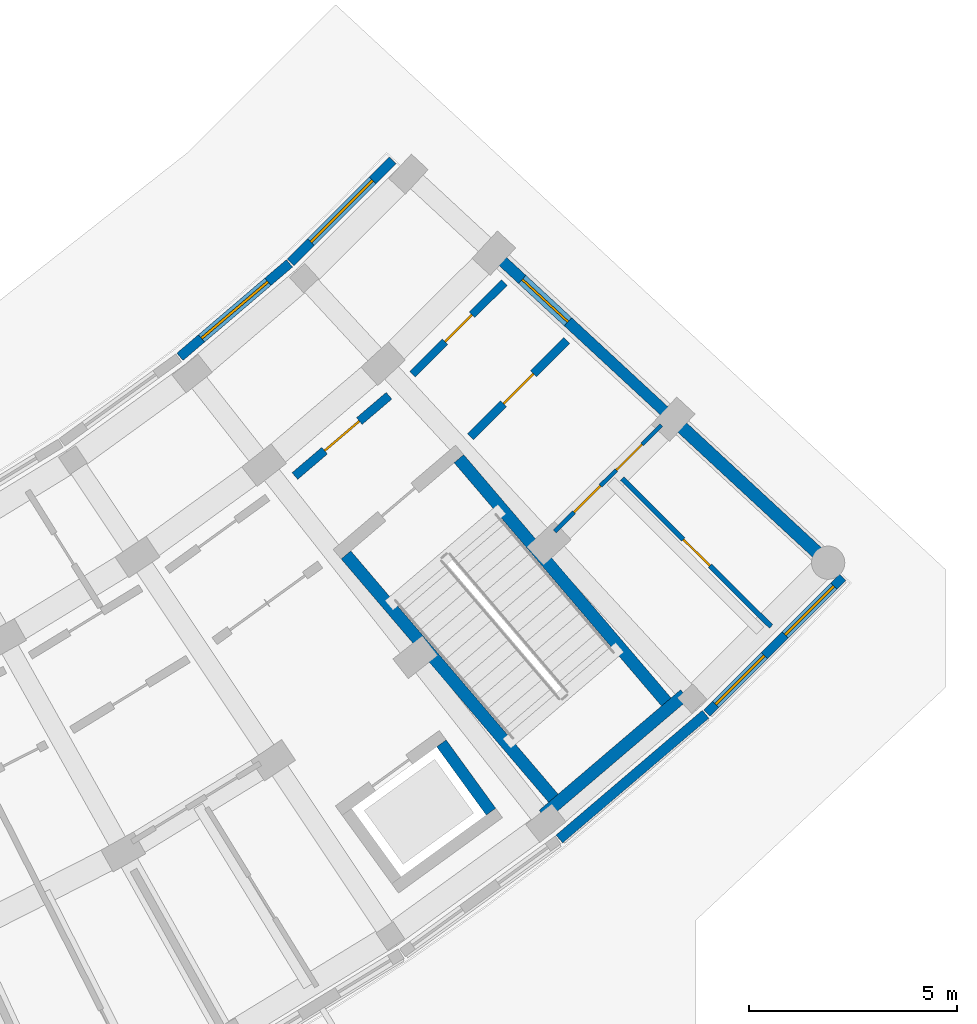
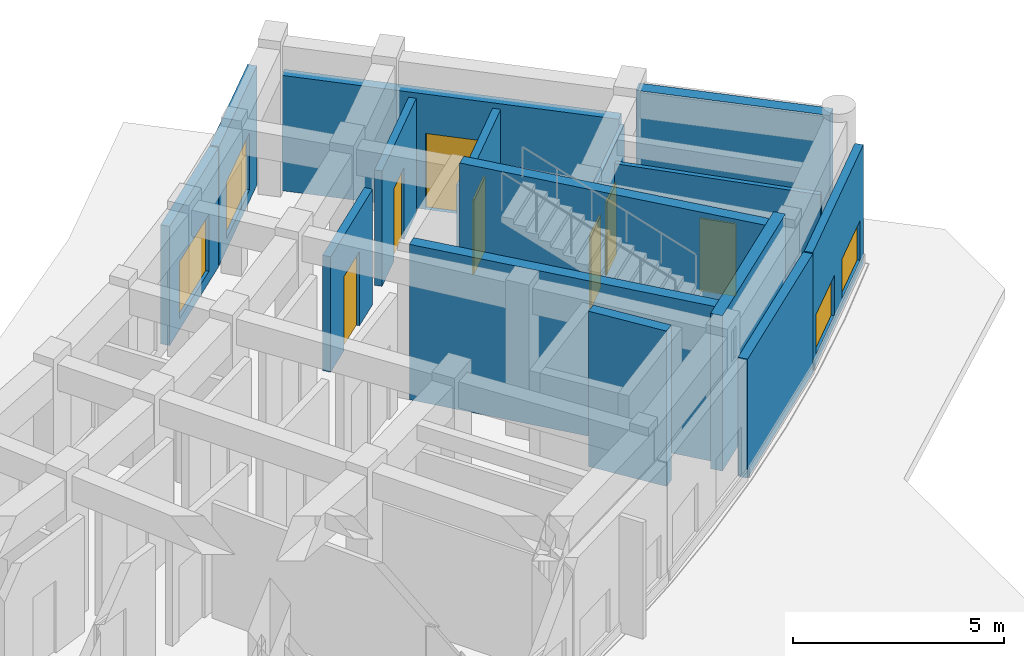
# One storey, part 45 of 61: 15 walls, 7 doors, 4 windows, 11 openings.
"""IFC4 building model written with IfcOpenShell, lengths in metres."""

from ifc_helpers import new_model, si_unit, direction, frame, frame_2d, origin, place, context, subcontext, project, spatial, rectangle, extrude, material, layer, layer_set, type_object, element, fill, save


model = new_model("IFC4")

# Units and contexts
model_context = context("Model", 3, precision=1e-05, world=origin(), true_north=direction((0.0, 1.0)))
body_context = subcontext(model_context, "Body", "Model", "MODEL_VIEW")
ifc_project = project(units=[si_unit("LENGTHUNIT", "METRE"), si_unit("AREAUNIT", "SQUARE_METRE"), si_unit("VOLUMEUNIT", "CUBIC_METRE"), si_unit("PLANEANGLEUNIT", "RADIAN"), si_unit("MASSUNIT", "GRAM", prefix="KILO")], contexts=[model_context])

# Site, building, storey
site_placement = place(None, origin())
site = spatial("IfcSite", under=ifc_project, at=site_placement, CompositionType="ELEMENT")
building_placement = place(site_placement, origin())
building = spatial("IfcBuilding", under=site, at=building_placement, Name="Zimvara Arc Housing Community", CompositionType="ELEMENT")
storey_placement = place(building_placement, origin())
storey = spatial("IfcBuildingStorey", under=building, at=storey_placement, Name="L00", CompositionType="ELEMENT", Elevation=0.0)

# Wall, opening, window
ifc_material_1 = material(Name="Board-Marked Fair-Faced Concrete C35/45", Category="concrete")
ifc_layer_1 = layer(ifc_material_1, 0.22998046875)
ifc_layer_set_1 = layer_set([ifc_layer_1], Name="Board-Marked Fair-Faced Concrete C35/45")
wall_type_1 = type_object("IfcWallType", Name="EWL-CONC-230", PredefinedType="SOLIDWALL", material=ifc_layer_set_1)
wall_1_placement = place(storey_placement, frame((153.588623046875, 74.80810546875, 0.0), z_axis=(0.0, 0.0, 1.0), x_axis=(0.760985425115, 0.648768974876, 0.0)))
wall_1 = element("IfcWall", 1, at=wall_1_placement, inside=storey, type_object=wall_type_1, Name="ewall:blkD:L00:in:b8", PredefinedType="SOLIDWALL", context=body_context, shape_type="SweptSolid", body=[
    extrude(rectangle(XDim=3.463623046875, YDim=0.22998046875, at=frame_2d((1.73193359375, 0.0))), origin(), (0.0, 0.0, 1.0), 3.449951171875),
])
opening_1_placement = place(wall_1_placement, frame((0.681884765625, 0.0, 0.320068359375)))
opening_1 = element("IfcOpeningElement", 2, at=opening_1_placement, cuts=wall_1, Name="Opening W09", PredefinedType="OPENING", context=body_context, shape_type="SweptSolid", body=[
    extrude(rectangle(XDim=2.10009765625, YDim=1.64990234375, at=frame_2d((1.050048828125, 0.824951171875))), frame((0.0, 0.125, 0.0), z_axis=(0.0, -1.0, 0.0), x_axis=(1.0, 0.0, 0.0)), (0.0, 0.0, 1.0), 0.25),
])
ifc_material_2 = material(Name="Solar Control Low-E Double Glazing", Category="glass")
window_type_1 = type_object("IfcWindowType", Name="WIN-RES-2100x1650", PartitioningType="TRIPLE_PANEL_VERTICAL", PredefinedType="WINDOW", material=ifc_material_2)
window_1_placement = place(opening_1_placement, origin())
window_1 = element("IfcWindow", 3, at=window_1_placement, inside=storey, type_object=window_type_1, Name="win:blkD:L00:in:b8", OverallHeight=1.64990234375, OverallWidth=2.10009765625, PartitioningType="TRIPLE_PANEL_VERTICAL", PredefinedType="WINDOW", context=body_context, shape_type="SweptSolid", body=[
    extrude(rectangle(XDim=2.10009765625, YDim=1.64990234375, at=frame_2d((1.050048828125, 0.824951171875))), frame((0.0, 0.030029296875, 0.0), z_axis=(0.0, -1.0, 0.0), x_axis=(1.0, 0.0, 0.0)), (0.0, 0.0, 1.0), 0.06005859375),
])
fill(opening_1, window_1)

wall_2_placement = place(storey_placement, frame((156.253662109375, 77.082275390625, 0.0), z_axis=(0.0, 0.0, 1.0), x_axis=(0.707705680562, 0.70650737413, 0.0)))
wall_2 = element("IfcWall", 4, at=wall_2_placement, inside=storey, type_object=wall_type_1, Name="ewall:blkD:L00:in:b9", PredefinedType="SOLIDWALL", context=body_context, shape_type="SweptSolid", body=[
    extrude(rectangle(XDim=3.463623046875, YDim=0.22998046875, at=frame_2d((1.73193359375, 0.0))), origin(), (0.0, 0.0, 1.0), 3.449951171875),
])
opening_2_placement = place(wall_2_placement, frame((0.681884765625, 0.0, 0.320068359375)))
opening_2 = element("IfcOpeningElement", 5, at=opening_2_placement, cuts=wall_2, Name="Opening W09", PredefinedType="OPENING", context=body_context, shape_type="SweptSolid", body=[
    extrude(rectangle(XDim=2.10009765625, YDim=1.64990234375, at=frame_2d((1.050048828125, 0.824951171875))), frame((0.0, 0.125, 0.0), z_axis=(0.0, -1.0, 0.0), x_axis=(1.0, 0.0, 0.0)), (0.0, 0.0, 1.0), 0.25),
])
window_2_placement = place(opening_2_placement, origin())
window_2 = element("IfcWindow", 6, at=window_2_placement, inside=storey, type_object=window_type_1, Name="win:blkD:L00:in:b9", OverallHeight=1.64990234375, OverallWidth=2.10009765625, PartitioningType="TRIPLE_PANEL_VERTICAL", PredefinedType="WINDOW", context=body_context, shape_type="SweptSolid", body=[
    extrude(rectangle(XDim=2.10009765625, YDim=1.64990234375, at=frame_2d((1.050048828125, 0.824951171875))), frame((0.0, 0.030029296875, 0.0), z_axis=(0.0, -1.0, 0.0), x_axis=(1.0, 0.0, 0.0)), (0.0, 0.0, 1.0), 0.06005859375),
])
fill(opening_2, window_2)

# Wall, opening, door
ifc_material_3 = material(Name="Board-Marked Fair-Faced Concrete C35/45", Category="concrete")
ifc_layer_2 = layer(ifc_material_3, 0.264892578125)
ifc_layer_set_2 = layer_set([ifc_layer_2], Name="Board-Marked Fair-Faced Concrete C35/45")
wall_type_2 = type_object("IfcWallType", Name="EWL-CONC-265", PredefinedType="SOLIDWALL", material=ifc_layer_set_2)
wall_3_placement = place(storey_placement, frame((159.261962890625, 79.04052734375, 0.0), z_axis=(0.0, 0.0, 1.0), x_axis=(0.733738684326, -0.679431779595, 0.0)))
wall_3 = element("IfcWall", 7, at=wall_3_placement, inside=storey, type_object=wall_type_2, Name="ewall:blkD:L00:gN", PredefinedType="SOLIDWALL", context=body_context, shape_type="SweptSolid", body=[
    extrude(rectangle(XDim=8.199951171875, YDim=0.264892578125, at=frame_2d((4.10009765625, 0.0))), origin(), (0.0, 0.0, 1.0), 3.340087890625),
])
opening_3_placement = place(wall_3_placement, frame((3.489990234375, 0.0, 0.0)))
opening_3 = element("IfcOpeningElement", 8, at=opening_3_placement, cuts=wall_3, Name="Opening ED01", PredefinedType="OPENING", context=body_context, shape_type="SweptSolid", body=[
    extrude(rectangle(XDim=1.5, YDim=2.199951171875, at=frame_2d((0.75, 1.10009765625))), frame((0.0, 0.142333984375, 0.0), z_axis=(0.0, -1.0, 0.0), x_axis=(1.0, 0.0, 0.0)), (0.0, 0.0, 1.0), 0.284912109375),
])
ifc_material_4 = material(Name="Anodised Aluminium AW-6063", Category="aluminium")
door_type_1 = type_object("IfcDoorType", Name="EDR-EXIT-1500x2200", OperationType="DOUBLE_DOOR_SINGLE_SWING", PredefinedType="DOOR", material=ifc_material_4)
door_1_placement = place(opening_3_placement, origin())
door_1 = element("IfcDoor", 9, at=door_1_placement, inside=storey, type_object=door_type_1, Name="edoor:blkD:L00:corr_exit:gN", OperationType="DOUBLE_DOOR_SINGLE_SWING", OverallHeight=2.199951171875, OverallWidth=1.5, PredefinedType="DOOR", context=body_context, shape_type="SweptSolid", body=[
    extrude(rectangle(XDim=1.5, YDim=2.199951171875, at=frame_2d((0.75, 1.10009765625))), frame((0.0, 0.02490234375, 0.0), z_axis=(0.0, -1.0, 0.0), x_axis=(1.0, 0.0, 0.0)), (0.0, 0.0, 1.0), 0.050048828125),
])
fill(opening_3, door_1)

# Wall
ifc_material_5 = material(Name="Pigmented Fair-Faced Concrete C35/45", Category="concrete")
ifc_layer_3 = layer(ifc_material_5, 0.2451171875)
ifc_layer_set_3 = layer_set([ifc_layer_3], Name="Pigmented Fair-Faced Concrete C35/45")
wall_type_3 = type_object("IfcWallType", Name="EWL-PIGM-245", PredefinedType="SOLIDWALL", material=ifc_layer_set_3)
wall_4_placement = place(storey_placement, frame((162.71630859375, 63.208740234375, 0.0), z_axis=(0.0, 0.0, 1.0), x_axis=(0.760968923704, 0.64878833001, 0.0)))
element("IfcWall", 10, at=wall_4_placement, inside=storey, type_object=wall_type_3, Name="ewall:blkD:L00:out:b8", PredefinedType="SOLIDWALL", context=body_context, shape_type="SweptSolid", body=[
    extrude(rectangle(XDim=4.62255859375, YDim=0.2451171875, at=frame_2d((2.311279296875, 0.0))), origin(), (0.0, 0.0, 1.0), 3.449951171875),
])

# Wall, openings, windows
ifc_material_6 = material(Name="Board-Marked Fair-Faced Concrete C35/45", Category="concrete")
ifc_layer_4 = layer(ifc_material_6, 0.2119140625)
ifc_layer_set_4 = layer_set([ifc_layer_4], Name="Board-Marked Fair-Faced Concrete C35/45")
wall_type_4 = type_object("IfcWallType", Name="EWL-VAR-11", PredefinedType="SOLIDWALL", material=ifc_layer_set_4)
wall_5_placement = place(storey_placement, frame((166.26318359375, 66.23486328125, 0.0), z_axis=(0.0, 0.0, 1.0), x_axis=(0.707713886734, 0.706499153944, 0.0)))
wall_5 = element("IfcWall", 11, at=wall_5_placement, inside=storey, type_object=wall_type_4, Name="ewall:blkD:L00:out:b9", PredefinedType="SOLIDWALL", context=body_context, shape_type="SweptSolid", body=[
    extrude(rectangle(XDim=4.62255859375, YDim=0.2119140625, at=frame_2d((2.311279296875, 0.0))), origin(), (0.0, 0.0, 1.0), 3.449951171875),
])
opening_4_placement = place(wall_5_placement, frame((0.300048828125, 0.0, 0.300048828125)))
opening_4 = element("IfcOpeningElement", 12, at=opening_4_placement, cuts=wall_5, Name="Opening W49", PredefinedType="OPENING", context=body_context, shape_type="SweptSolid", body=[
    extrude(rectangle(XDim=1.659912109375, YDim=1.159912109375, at=frame_2d((0.830078125, 0.580078125))), frame((0.0, 0.115966796875, 0.0), z_axis=(0.0, -1.0, 0.0), x_axis=(1.0, 0.0, 0.0)), (0.0, 0.0, 1.0), 0.23193359375),
])
opening_5_placement = place(wall_5_placement, frame((2.66259765625, 0.0, 0.300048828125)))
opening_5 = element("IfcOpeningElement", 13, at=opening_5_placement, cuts=wall_5, Name="Opening W49", PredefinedType="OPENING", context=body_context, shape_type="SweptSolid", body=[
    extrude(rectangle(XDim=1.659912109375, YDim=1.159912109375, at=frame_2d((0.830078125, 0.580078125))), frame((0.0, 0.115966796875, 0.0), z_axis=(0.0, -1.0, 0.0), x_axis=(1.0, 0.0, 0.0)), (0.0, 0.0, 1.0), 0.23193359375),
])
ifc_material_7 = material(Name="Solar Control Low-E Double Glazing", Category="glass")
window_type_2 = type_object("IfcWindowType", Name="WIN-MOD-1660x1160", PartitioningType="DOUBLE_PANEL_VERTICAL", PredefinedType="WINDOW", material=ifc_material_7)
window_3_placement = place(opening_4_placement, origin())
window_3 = element("IfcWindow", 14, at=window_3_placement, inside=storey, type_object=window_type_2, Name="win:blkD:L00:out:b9:1", OverallHeight=1.159912109375, OverallWidth=1.659912109375, PartitioningType="DOUBLE_PANEL_VERTICAL", PredefinedType="WINDOW", context=body_context, shape_type="SweptSolid", body=[
    extrude(rectangle(XDim=1.659912109375, YDim=1.159912109375, at=frame_2d((0.830078125, 0.580078125))), frame((0.0, 0.030029296875, 0.0), z_axis=(0.0, -1.0, 0.0), x_axis=(1.0, 0.0, 0.0)), (0.0, 0.0, 1.0), 0.06005859375),
])
fill(opening_4, window_3)
window_4_placement = place(opening_5_placement, origin())
window_4 = element("IfcWindow", 15, at=window_4_placement, inside=storey, type_object=window_type_2, Name="win:blkD:L00:out:b9:2", OverallHeight=1.159912109375, OverallWidth=1.659912109375, PartitioningType="DOUBLE_PANEL_VERTICAL", PredefinedType="WINDOW", context=body_context, shape_type="SweptSolid", body=[
    extrude(rectangle(XDim=1.659912109375, YDim=1.159912109375, at=frame_2d((0.830078125, 0.580078125))), frame((0.0, 0.030029296875, 0.0), z_axis=(0.0, -1.0, 0.0), x_axis=(1.0, 0.0, 0.0)), (0.0, 0.0, 1.0), 0.06005859375),
])
fill(opening_5, window_4)

# Wall, opening, door
ifc_material_8 = material(Name="Concrete C35/45", Category="concrete")
ifc_layer_5 = layer(ifc_material_8, 0.2099609375)
ifc_layer_set_5 = layer_set([ifc_layer_5], Name="Concrete C35/45")
wall_type_5 = type_object("IfcWallType", Name="IWL-CCF-210", PredefinedType="SOLIDWALL", material=ifc_layer_set_5)
wall_6_placement = place(storey_placement, frame((156.354248046875, 71.93994140625, 0.0), z_axis=(0.0, 0.0, 1.0), x_axis=(0.760991187621, 0.648762215579, 0.0)))
wall_6 = element("IfcWall", 16, at=wall_6_placement, inside=storey, type_object=wall_type_5, Name="iwall:blkD:L00:ccf_div:b8", PredefinedType="SOLIDWALL", context=body_context, shape_type="SweptSolid", body=[
    extrude(rectangle(XDim=2.975830078125, YDim=0.2099609375, at=frame_2d((1.48779296875, 0.0))), origin(), (0.0, 0.0, 1.0), 3.340087890625),
])
opening_6_placement = place(wall_6_placement, frame((0.93798828125, 0.0, 0.0)))
opening_6 = element("IfcOpeningElement", 17, at=opening_6_placement, cuts=wall_6, Name="Opening FD-CCF1", PredefinedType="OPENING", context=body_context, shape_type="SweptSolid", body=[
    extrude(rectangle(XDim=1.10009765625, YDim=2.14990234375, at=frame_2d((0.550048828125, 1.074951171875))), frame((0.0, 0.114990234375, 0.0), z_axis=(0.0, -1.0, 0.0), x_axis=(1.0, 0.0, 0.0)), (0.0, 0.0, 1.0), 0.22998046875),
])
ifc_material_9 = material(Name="Anodised Aluminium AW-6063", Category="aluminium")
door_type_2 = type_object("IfcDoorType", Name="IDR-CCF-1100x2150", OperationType="NOTDEFINED", PredefinedType="DOOR", material=ifc_material_9)
door_2_placement = place(opening_6_placement, origin())
door_2 = element("IfcDoor", 18, at=door_2_placement, inside=storey, type_object=door_type_2, Name="idoor:blkD:L00:ccf_in:b8", OperationType="SINGLE_SWING_RIGHT", OverallHeight=2.14990234375, OverallWidth=1.10009765625, PredefinedType="DOOR", context=body_context, shape_type="SweptSolid", body=[
    extrude(rectangle(XDim=1.10009765625, YDim=2.14990234375, at=frame_2d((0.550048828125, 1.074951171875))), frame((0.0, 0.02490234375, 0.0), z_axis=(0.0, -1.0, 0.0), x_axis=(1.0, 0.0, 0.0)), (0.0, 0.0, 1.0), 0.050048828125),
])
fill(opening_6, door_2)

ifc_material_10 = material(Name="Concrete C35/45", Category="concrete")
ifc_layer_6 = layer(ifc_material_10, 0.18994140625)
ifc_layer_set_6 = layer_set([ifc_layer_6], Name="Concrete C35/45")
wall_type_6 = type_object("IfcWallType", Name="IWL-CORR-190", PredefinedType="SOLIDWALL", material=ifc_layer_set_6)
wall_7_placement = place(storey_placement, frame((159.186279296875, 74.390380859375, 0.0), z_axis=(0.0, 0.0, 1.0), x_axis=(0.70773330139, 0.706479705373, 0.0)))
wall_7 = element("IfcWall", 19, at=wall_7_placement, inside=storey, type_object=wall_type_6, Name="iwall:blkD:L00:corr_in:b9", PredefinedType="SOLIDWALL", context=body_context, shape_type="SweptSolid", body=[
    extrude(rectangle(XDim=3.115966796875, YDim=0.18994140625, at=frame_2d((1.55810546875, 0.0))), origin(), (0.0, 0.0, 1.0), 3.340087890625),
])
opening_7_placement = place(wall_7_placement, frame((1.097900390625, 0.0, 0.0)))
opening_7 = element("IfcOpeningElement", 20, at=opening_7_placement, cuts=wall_7, Name="Opening D02", PredefinedType="OPENING", context=body_context, shape_type="SweptSolid", body=[
    extrude(rectangle(XDim=0.919921875, YDim=2.10009765625, at=frame_2d((0.4599609375, 1.050048828125))), frame((0.0, 0.10498046875, 0.0), z_axis=(0.0, -1.0, 0.0), x_axis=(1.0, 0.0, 0.0)), (0.0, 0.0, 1.0), 0.2099609375),
])
ifc_material_11 = material(Name="Mozambican Hardwood", Category="wood")
door_type_3 = type_object("IfcDoorType", Name="IDR-RM-0920x2100", OperationType="NOTDEFINED", PredefinedType="DOOR", material=ifc_material_11)
door_3_placement = place(opening_7_placement, origin())
door_3 = element("IfcDoor", 21, at=door_3_placement, inside=storey, type_object=door_type_3, Name="idoor:blkD:L00:in_rm:b9", OperationType="SINGLE_SWING_RIGHT", OverallHeight=2.10009765625, OverallWidth=0.919921875, PredefinedType="DOOR", context=body_context, shape_type="SweptSolid", body=[
    extrude(rectangle(XDim=0.919921875, YDim=2.10009765625, at=frame_2d((0.4599609375, 1.050048828125))), frame((0.0, 0.02490234375, 0.0), z_axis=(0.0, -1.0, 0.0), x_axis=(1.0, 0.0, 0.0)), (0.0, 0.0, 1.0), 0.050048828125),
])
fill(opening_7, door_3)

ifc_material_12 = material(Name="Concrete C35/45", Category="concrete")
ifc_layer_7 = layer(ifc_material_12, 0.199951171875)
ifc_layer_set_7 = layer_set([ifc_layer_7], Name="Concrete C35/45")
wall_type_7 = type_object("IfcWallType", Name="IWL-CORR-200", PredefinedType="SOLIDWALL", material=ifc_layer_set_7)
wall_8_placement = place(storey_placement, frame((160.576416015625, 72.8837890625, 0.0), z_axis=(0.0, 0.0, 1.0), x_axis=(0.70773973846, 0.706473256822, 0.0)))
wall_8 = element("IfcWall", 22, at=wall_8_placement, inside=storey, type_object=wall_type_7, Name="iwall:blkD:L00:corr_out:b9", PredefinedType="SOLIDWALL", context=body_context, shape_type="SweptSolid", body=[
    extrude(rectangle(XDim=3.277099609375, YDim=0.199951171875, at=frame_2d((1.638671875, 0.0))), origin(), (0.0, 0.0, 1.0), 3.340087890625),
])
opening_8_placement = place(wall_8_placement, frame((1.12841796875, 0.0, 0.0)))
opening_8 = element("IfcOpeningElement", 23, at=opening_8_placement, cuts=wall_8, Name="Opening FD-FL2", PredefinedType="OPENING", context=body_context, shape_type="SweptSolid", body=[
    extrude(rectangle(XDim=1.02001953125, YDim=2.14990234375, at=frame_2d((0.510009765625, 1.074951171875))), frame((0.0, 0.10986328125, 0.0), z_axis=(0.0, -1.0, 0.0), x_axis=(1.0, 0.0, 0.0)), (0.0, 0.0, 1.0), 0.219970703125),
])
ifc_material_13 = material(Name="Mozambican Hardwood", Category="wood")
door_type_4 = type_object("IfcDoorType", Name="IDR-FLAT-1020x2150", OperationType="NOTDEFINED", PredefinedType="DOOR", material=ifc_material_13)
door_4_placement = place(opening_8_placement, origin())
door_4 = element("IfcDoor", 24, at=door_4_placement, inside=storey, type_object=door_type_4, Name="idoor:blkD:L00:flat:b9", OperationType="SINGLE_SWING_LEFT", OverallHeight=2.14990234375, OverallWidth=1.02001953125, PredefinedType="DOOR", context=body_context, shape_type="SweptSolid", body=[
    extrude(rectangle(XDim=1.02001953125, YDim=2.14990234375, at=frame_2d((0.510009765625, 1.074951171875))), frame((0.0, 0.02490234375, 0.0), z_axis=(0.0, -1.0, 0.0), x_axis=(1.0, 0.0, 0.0)), (0.0, 0.0, 1.0), 0.050048828125),
])
fill(opening_8, door_4)

# Wall, openings, doors
ifc_material_14 = material(Name="Painted Acoustic Plasterboard")
ifc_layer_8 = layer(ifc_material_14, 0.10009765625)
ifc_layer_set_8 = layer_set([ifc_layer_8], Name="Painted Acoustic Plasterboard")
wall_type_8 = type_object("IfcWallType", Name="IWL-PART-100", PredefinedType="PARTITIONING", material=ifc_layer_set_8)
wall_9_placement = place(storey_placement, frame((162.609375, 70.60693359375, 0.0), z_axis=(0.0, 0.0, 1.0), x_axis=(0.707714058013, 0.70649898237, 0.0)))
wall_9 = element("IfcWall", 25, at=wall_9_placement, inside=storey, type_object=wall_type_8, Name="iwall:blkD:L00:srv:b9", PredefinedType="PARTITIONING", context=body_context, shape_type="SweptSolid", body=[
    extrude(rectangle(XDim=3.61669921875, YDim=0.10009765625, at=frame_2d((1.808349609375, 0.0))), origin(), (0.0, 0.0, 1.0), 3.340087890625),
])
opening_9_placement = place(wall_9_placement, frame((0.64990234375, 0.0, 0.0)))
opening_9 = element("IfcOpeningElement", 26, at=opening_9_placement, cuts=wall_9, Name="Opening D01", PredefinedType="OPENING", context=body_context, shape_type="SweptSolid", body=[
    extrude(rectangle(XDim=0.89990234375, YDim=2.10009765625, at=frame_2d((0.449951171875, 1.050048828125))), frame((0.0, 0.06005859375, 0.0), z_axis=(0.0, -1.0, 0.0), x_axis=(1.0, 0.0, 0.0)), (0.0, 0.0, 1.0), 0.1201171875),
])
opening_10_placement = place(wall_9_placement, frame((2.08642578125, 0.0, 0.0)))
opening_10 = element("IfcOpeningElement", 27, at=opening_10_placement, cuts=wall_9, Name="Opening D05", PredefinedType="OPENING", context=body_context, shape_type="SweptSolid", body=[
    extrude(rectangle(XDim=0.8798828125, YDim=2.10009765625, at=frame_2d((0.43994140625, 1.050048828125))), frame((0.0, 0.06005859375, 0.0), z_axis=(0.0, -1.0, 0.0), x_axis=(1.0, 0.0, 0.0)), (0.0, 0.0, 1.0), 0.1201171875),
])
ifc_material_15 = material(Name="Mozambican Hardwood", Category="wood")
door_type_5 = type_object("IfcDoorType", Name="IDR-RM-0900x2100", OperationType="NOTDEFINED", PredefinedType="DOOR", material=ifc_material_15)
door_5_placement = place(opening_9_placement, origin())
door_5 = element("IfcDoor", 28, at=door_5_placement, inside=storey, type_object=door_type_5, Name="idoor:blkD:L00:kit_liv:b9", OperationType="SINGLE_SWING_LEFT", OverallHeight=2.10009765625, OverallWidth=0.89990234375, PredefinedType="DOOR", context=body_context, shape_type="SweptSolid", body=[
    extrude(rectangle(XDim=0.89990234375, YDim=2.10009765625, at=frame_2d((0.449951171875, 1.050048828125))), frame((0.0, 0.02490234375, 0.0), z_axis=(0.0, -1.0, 0.0), x_axis=(1.0, 0.0, 0.0)), (0.0, 0.0, 1.0), 0.050048828125),
])
fill(opening_9, door_5)
ifc_material_16 = material(Name="Mozambican Hardwood", Category="wood")
door_type_6 = type_object("IfcDoorType", Name="IDR-WC-0880x2100", OperationType="NOTDEFINED", PredefinedType="DOOR", material=ifc_material_16)
door_6_placement = place(opening_10_placement, origin())
door_6 = element("IfcDoor", 29, at=door_6_placement, inside=storey, type_object=door_type_6, Name="idoor:blkD:L00:bath_d:b9", OperationType="SINGLE_SWING_RIGHT", OverallHeight=2.10009765625, OverallWidth=0.8798828125, PredefinedType="DOOR", context=body_context, shape_type="SweptSolid", body=[
    extrude(rectangle(XDim=0.8798828125, YDim=2.10009765625, at=frame_2d((0.43994140625, 1.050048828125))), frame((0.0, 0.02490234375, 0.0), z_axis=(0.0, -1.0, 0.0), x_axis=(1.0, 0.0, 0.0)), (0.0, 0.0, 1.0), 0.050048828125),
])
fill(opening_10, door_6)

# Wall, opening, door
ifc_material_17 = material(Name="Painted Acoustic Plasterboard")
ifc_layer_9 = layer(ifc_material_17, 0.1201171875)
ifc_layer_set_9 = layer_set([ifc_layer_9], Name="Painted Acoustic Plasterboard")
wall_type_9 = type_object("IfcWallType", Name="IWL-PART-120", PredefinedType="PARTITIONING", material=ifc_layer_set_9)
wall_10_placement = place(storey_placement, frame((164.224853515625, 71.879150390625, 0.0), z_axis=(0.0, 0.0, 1.0), x_axis=(0.709543935341, -0.704661197897, 0.0)))
wall_10 = element("IfcWall", 30, at=wall_10_placement, inside=storey, type_object=wall_type_9, Name="iwall:blkD:L00:bed_div:b9", PredefinedType="PARTITIONING", context=body_context, shape_type="SweptSolid", body=[
    extrude(rectangle(XDim=5.050048828125, YDim=0.1201171875, at=frame_2d((2.52490234375, 0.0))), origin(), (0.0, 0.0, 1.0), 3.340087890625),
])
opening_11_placement = place(wall_10_placement, frame((2.074951171875, 0.0, 0.0)))
opening_11 = element("IfcOpeningElement", 31, at=opening_11_placement, cuts=wall_10, Name="Opening D01", PredefinedType="OPENING", context=body_context, shape_type="SweptSolid", body=[
    extrude(rectangle(XDim=0.89990234375, YDim=2.10009765625, at=frame_2d((0.449951171875, 1.050048828125))), frame((0.0, 0.070068359375, 0.0), z_axis=(0.0, -1.0, 0.0), x_axis=(1.0, 0.0, 0.0)), (0.0, 0.0, 1.0), 0.14013671875),
])
door_7_placement = place(opening_11_placement, origin())
door_7 = element("IfcDoor", 32, at=door_7_placement, inside=storey, type_object=door_type_5, Name="idoor:blkD:L00:bed_d:b9", OperationType="SINGLE_SWING_LEFT", OverallHeight=2.10009765625, OverallWidth=0.89990234375, PredefinedType="DOOR", context=body_context, shape_type="SweptSolid", body=[
    extrude(rectangle(XDim=0.89990234375, YDim=2.10009765625, at=frame_2d((0.449951171875, 1.050048828125))), frame((0.0, 0.02490234375, 0.0), z_axis=(0.0, -1.0, 0.0), x_axis=(1.0, 0.0, 0.0)), (0.0, 0.0, 1.0), 0.050048828125),
])
fill(opening_11, door_7)

# Walls
ifc_material_18 = material(Name="Concrete C40/50", Category="concrete")
ifc_layer_10 = layer(ifc_material_18, 0.280029296875)
ifc_layer_set_10 = layer_set([ifc_layer_10], Name="Concrete C40/50")
wall_type_10 = type_object("IfcWallType", Name="WL-CORE-280", PredefinedType="SHEAR", material=ifc_layer_set_10)
wall_11_placement = place(storey_placement, frame((159.87939453125, 65.509033203125, 0.0), z_axis=(0.0, 0.0, 1.0), x_axis=(0.58704837408, -0.809551855344, 0.0)))
element("IfcWall", 33, at=wall_11_placement, inside=storey, type_object=wall_type_10, Name="lwall:LP-D2:L00:right", PredefinedType="SHEAR", context=body_context, shape_type="SweptSolid", body=[
    extrude(rectangle(XDim=2.02978515625, YDim=0.280029296875, at=frame_2d((1.014892578125, 0.0))), origin(), (0.0, 0.0, 1.0), 4.5),
])
ifc_material_19 = material(Name="Concrete C40/50", Category="concrete")
ifc_layer_11 = layer(ifc_material_19, 0.300048828125)
ifc_layer_set_11 = layer_set([ifc_layer_11], Name="Concrete C40/50")
wall_type_11 = type_object("IfcWallType", Name="WL-CORE-300", PredefinedType="SHEAR", material=ifc_layer_set_11)
wall_12_placement = place(storey_placement, frame((162.3271484375, 63.78271484375, 0.0), z_axis=(0.0, 0.0, 1.0), x_axis=(0.760969560012, 0.648787583678, 0.0)))
element("IfcWall", 34, at=wall_12_placement, inside=storey, type_object=wall_type_11, Name="cwall:ST-D2:L00:far", PredefinedType="SHEAR", context=body_context, shape_type="SweptSolid", body=[
    extrude(rectangle(XDim=4.47021484375, YDim=0.300048828125, at=frame_2d((2.235107421875, 0.0))), origin(), (0.0, 0.0, 1.0), 4.5),
])
wall_13_placement = place(storey_placement, frame((157.583251953125, 70.040771484375, 0.0), z_axis=(0.0, 0.0, 1.0), x_axis=(0.648762810187, -0.760990680704, 0.0)))
element("IfcWall", 35, at=wall_13_placement, inside=storey, type_object=wall_type_11, Name="cwall:ST-D2:L00:left", PredefinedType="SHEAR", context=body_context, shape_type="SweptSolid", body=[
    extrude(rectangle(XDim=7.68994140625, YDim=0.300048828125, at=frame_2d((3.844970703125, 0.0))), origin(), (0.0, 0.0, 1.0), 4.5),
])
wall_14_placement = place(storey_placement, frame((160.2998046875, 72.35693359375, 0.0), z_axis=(0.0, 0.0, 1.0), x_axis=(0.648781194888, -0.760975006922, 0.0)))
element("IfcWall", 36, at=wall_14_placement, inside=storey, type_object=wall_type_11, Name="cwall:ST-D2:L00:right", PredefinedType="SHEAR", context=body_context, shape_type="SweptSolid", body=[
    extrude(rectangle(XDim=7.690185546875, YDim=0.300048828125, at=frame_2d((3.84521484375, 0.0))), origin(), (0.0, 0.0, 1.0), 4.5),
])
ifc_material_20 = material(Name="Concrete C40/50", Category="concrete")
ifc_layer_12 = layer(ifc_material_20, 0.31005859375)
ifc_layer_set_12 = layer_set([ifc_layer_12], Name="Concrete C40/50")
wall_type_12 = type_object("IfcWallType", Name="WL-SHEAR-310", PredefinedType="SHEAR", material=ifc_layer_set_12)
wall_15_placement = place(storey_placement, frame((165.586669921875, 73.183837890625, 0.0), z_axis=(0.0, 0.0, 1.0), x_axis=(0.733739663667, -0.679430721974, 0.0)))
element("IfcWall", 37, at=wall_15_placement, inside=storey, type_object=wall_type_12, Name="swall:blkD:L00:east", PredefinedType="SHEAR", context=body_context, shape_type="SweptSolid", body=[
    extrude(rectangle(XDim=4.72021484375, YDim=0.31005859375, at=frame_2d((2.360107421875, 0.0))), origin(), (0.0, 0.0, 1.0), 4.260009765625),
])

save(model, "model.ifc")
